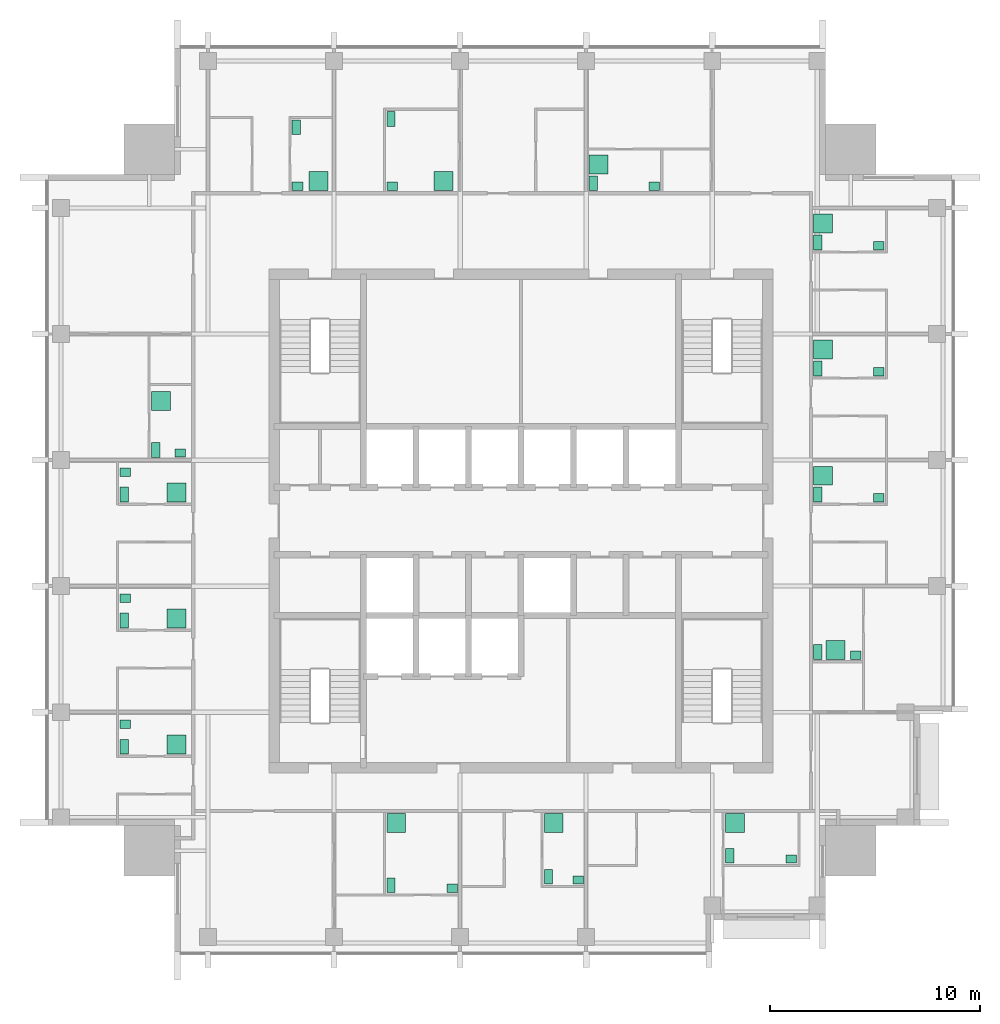
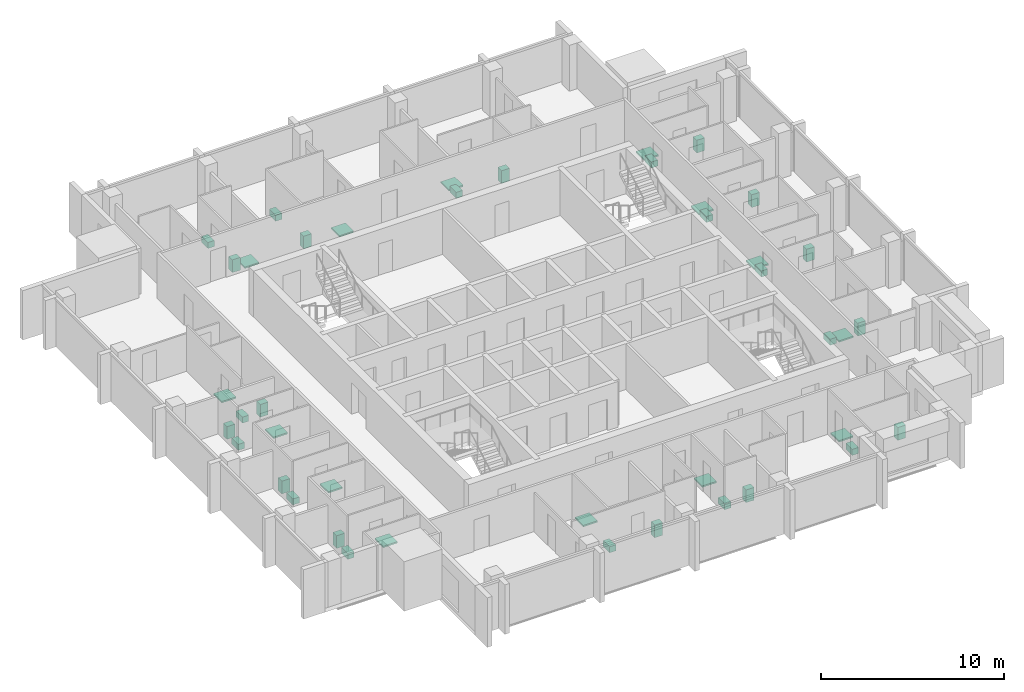
# One storey, part 9 of 9: 42 sanitary terminals.
"""IFC4 building model written with IfcOpenShell, lengths in metres."""

from ifc_helpers import new_model, si_unit, direction, frame, origin, origin_2d, place, context, subcontext, project, spatial, rectangle, extrude, element, save


model = new_model("IFC4")

# Units and contexts
model_context = context("Model", 3, precision=1e-05, world=origin(), true_north=direction((0.0, 1.0)))
body_context = subcontext(model_context, "Body", "Model", "MODEL_VIEW")
ifc_project = project(units=[si_unit("LENGTHUNIT", "METRE"), si_unit("AREAUNIT", "SQUARE_METRE"), si_unit("VOLUMEUNIT", "CUBIC_METRE"), si_unit("PLANEANGLEUNIT", "RADIAN"), si_unit("MASSUNIT", "GRAM", prefix="KILO")], contexts=[model_context])

# Site, building, storey
site_placement = place(None, origin())
site = spatial("IfcSite", under=ifc_project, at=site_placement, CompositionType="ELEMENT")
building_placement = place(site_placement, origin())
building = spatial("IfcBuilding", under=site, at=building_placement, Name="Amberfall Residences", CompositionType="ELEMENT")
storey_placement = place(building_placement, frame((0.0, 0.0, 245.5)))
storey = spatial("IfcBuildingStorey", under=building, at=storey_placement, Name="L65", CompositionType="ELEMENT", Elevation=245.5)

# Sanitary terminals
sanitary_terminal_1_placement = place(storey_placement, frame((68.31005859375, 28.159912109375, 0.0), z_axis=(0.0, 0.0, 1.0), x_axis=(1.0, 0.0, 0.0)))
element("IfcSanitaryTerminal", 1, at=sanitary_terminal_1_placement, inside=storey, Name="Water closet 6501", PredefinedType="TOILETPAN", context=body_context, shape_type="SweptSolid", body=[
    extrude(rectangle(XDim=0.39990234375, YDim=0.699951171875, at=origin_2d()), origin(), (0.0, 0.0, 1.0), 0.39990234375),
])
sanitary_terminal_2_placement = place(storey_placement, frame((71.215087890625, 28.010009765625, 0.0), z_axis=(0.0, 0.0, 1.0), x_axis=(1.0, 0.0, 0.0)))
element("IfcSanitaryTerminal", 2, at=sanitary_terminal_2_placement, inside=storey, Name="Basin 6501", PredefinedType="WASHHANDBASIN", context=body_context, shape_type="SweptSolid", body=[
    extrude(rectangle(XDim=0.5, YDim=0.39990234375, at=origin_2d()), origin(), (0.0, 0.0, 1.0), 0.85009765625),
])
sanitary_terminal_3_placement = place(storey_placement, frame((68.56005859375, 31.114990234375, 0.0), z_axis=(0.0, 0.0, 1.0), x_axis=(1.0, 0.0, 0.0)))
element("IfcSanitaryTerminal", 3, at=sanitary_terminal_3_placement, inside=storey, Name="Shower tray 6501", PredefinedType="SHOWER", context=body_context, shape_type="SweptSolid", body=[
    extrude(rectangle(XDim=0.89990234375, YDim=0.89990234375, at=origin_2d()), origin(), (0.0, 0.0, 1.0), 0.10009765625),
])
sanitary_terminal_4_placement = place(storey_placement, frame((75.81005859375, 28.56005859375, 0.0), z_axis=(0.0, 0.0, 1.0), x_axis=(1.0, 0.0, 0.0)))
element("IfcSanitaryTerminal", 4, at=sanitary_terminal_4_placement, inside=storey, Name="Water closet 6502", PredefinedType="TOILETPAN", context=body_context, shape_type="SweptSolid", body=[
    extrude(rectangle(XDim=0.39990234375, YDim=0.699951171875, at=origin_2d()), origin(), (0.0, 0.0, 1.0), 0.39990234375),
])
sanitary_terminal_5_placement = place(storey_placement, frame((77.215087890625, 28.409912109375, 0.0), z_axis=(0.0, 0.0, 1.0), x_axis=(1.0, 0.0, 0.0)))
element("IfcSanitaryTerminal", 5, at=sanitary_terminal_5_placement, inside=storey, Name="Basin 6502", PredefinedType="WASHHANDBASIN", context=body_context, shape_type="SweptSolid", body=[
    extrude(rectangle(XDim=0.5, YDim=0.39990234375, at=origin_2d()), origin(), (0.0, 0.0, 1.0), 0.85009765625),
])
sanitary_terminal_6_placement = place(storey_placement, frame((76.06005859375, 31.114990234375, 0.0), z_axis=(0.0, 0.0, 1.0), x_axis=(1.0, 0.0, 0.0)))
element("IfcSanitaryTerminal", 6, at=sanitary_terminal_6_placement, inside=storey, Name="Shower tray 6502", PredefinedType="SHOWER", context=body_context, shape_type="SweptSolid", body=[
    extrude(rectangle(XDim=0.89990234375, YDim=0.89990234375, at=origin_2d()), origin(), (0.0, 0.0, 1.0), 0.10009765625),
])
sanitary_terminal_7_placement = place(storey_placement, frame((84.43505859375, 29.56005859375, 0.0), z_axis=(0.0, 0.0, 1.0), x_axis=(1.0, 0.0, 0.0)))
element("IfcSanitaryTerminal", 7, at=sanitary_terminal_7_placement, inside=storey, Name="Water closet 6503", PredefinedType="TOILETPAN", context=body_context, shape_type="SweptSolid", body=[
    extrude(rectangle(XDim=0.39990234375, YDim=0.699951171875, at=origin_2d()), origin(), (0.0, 0.0, 1.0), 0.39990234375),
])
sanitary_terminal_8_placement = place(storey_placement, frame((87.364990234375, 29.409912109375, 0.0), z_axis=(0.0, 0.0, 1.0), x_axis=(1.0, 0.0, 0.0)))
element("IfcSanitaryTerminal", 8, at=sanitary_terminal_8_placement, inside=storey, Name="Basin 6503", PredefinedType="WASHHANDBASIN", context=body_context, shape_type="SweptSolid", body=[
    extrude(rectangle(XDim=0.5, YDim=0.39990234375, at=origin_2d()), origin(), (0.0, 0.0, 1.0), 0.85009765625),
])
sanitary_terminal_9_placement = place(storey_placement, frame((84.68505859375, 31.114990234375, 0.0), z_axis=(0.0, 0.0, 1.0), x_axis=(1.0, 0.0, 0.0)))
element("IfcSanitaryTerminal", 9, at=sanitary_terminal_9_placement, inside=storey, Name="Shower tray 6503", PredefinedType="SHOWER", context=body_context, shape_type="SweptSolid", body=[
    extrude(rectangle(XDim=0.89990234375, YDim=0.89990234375, at=origin_2d()), origin(), (0.0, 0.0, 1.0), 0.10009765625),
])
sanitary_terminal_10_placement = place(storey_placement, frame((88.635009765625, 39.260009765625, 0.0), z_axis=(0.0, 0.0, 1.0), x_axis=(1.0, 0.0, 0.0)))
element("IfcSanitaryTerminal", 10, at=sanitary_terminal_10_placement, inside=storey, Name="Water closet 6504", PredefinedType="TOILETPAN", context=body_context, shape_type="SweptSolid", body=[
    extrude(rectangle(XDim=0.39990234375, YDim=0.699951171875, at=origin_2d()), origin(), (0.0, 0.0, 1.0), 0.39990234375),
])
sanitary_terminal_11_placement = place(storey_placement, frame((90.43994140625, 39.110107421875, 0.0), z_axis=(0.0, 0.0, 1.0), x_axis=(1.0, 0.0, 0.0)))
element("IfcSanitaryTerminal", 11, at=sanitary_terminal_11_placement, inside=storey, Name="Basin 6504", PredefinedType="WASHHANDBASIN", context=body_context, shape_type="SweptSolid", body=[
    extrude(rectangle(XDim=0.5, YDim=0.39990234375, at=origin_2d()), origin(), (0.0, 0.0, 1.0), 0.85009765625),
])
sanitary_terminal_12_placement = place(storey_placement, frame((89.4658203125, 39.360107421875, 0.0), z_axis=(0.0, 0.0, 1.0), x_axis=(1.0, 0.0, 0.0)))
element("IfcSanitaryTerminal", 12, at=sanitary_terminal_12_placement, inside=storey, Name="Shower tray 6504", PredefinedType="SHOWER", context=body_context, shape_type="SweptSolid", body=[
    extrude(rectangle(XDim=0.89990234375, YDim=0.89990234375, at=origin_2d()), origin(), (0.0, 0.0, 1.0), 0.10009765625),
])
sanitary_terminal_13_placement = place(storey_placement, frame((88.635009765625, 46.760009765625, 0.0), z_axis=(0.0, 0.0, 1.0), x_axis=(1.0, 0.0, 0.0)))
element("IfcSanitaryTerminal", 13, at=sanitary_terminal_13_placement, inside=storey, Name="Water closet 6505", PredefinedType="TOILETPAN", context=body_context, shape_type="SweptSolid", body=[
    extrude(rectangle(XDim=0.39990234375, YDim=0.699951171875, at=origin_2d()), origin(), (0.0, 0.0, 1.0), 0.39990234375),
])
sanitary_terminal_14_placement = place(storey_placement, frame((91.5400390625, 46.610107421875, 0.0), z_axis=(0.0, 0.0, 1.0), x_axis=(1.0, 0.0, 0.0)))
element("IfcSanitaryTerminal", 14, at=sanitary_terminal_14_placement, inside=storey, Name="Basin 6505", PredefinedType="WASHHANDBASIN", context=body_context, shape_type="SweptSolid", body=[
    extrude(rectangle(XDim=0.5, YDim=0.39990234375, at=origin_2d()), origin(), (0.0, 0.0, 1.0), 0.85009765625),
])
sanitary_terminal_15_placement = place(storey_placement, frame((88.885009765625, 47.65576171875, 0.0), z_axis=(0.0, 0.0, 1.0), x_axis=(1.0, 0.0, 0.0)))
element("IfcSanitaryTerminal", 15, at=sanitary_terminal_15_placement, inside=storey, Name="Shower tray 6505", PredefinedType="SHOWER", context=body_context, shape_type="SweptSolid", body=[
    extrude(rectangle(XDim=0.89990234375, YDim=0.89990234375, at=origin_2d()), origin(), (0.0, 0.0, 1.0), 0.10009765625),
])
sanitary_terminal_16_placement = place(storey_placement, frame((88.635009765625, 52.760009765625, 0.0), z_axis=(0.0, 0.0, 1.0), x_axis=(1.0, 0.0, 0.0)))
element("IfcSanitaryTerminal", 16, at=sanitary_terminal_16_placement, inside=storey, Name="Water closet 6506", PredefinedType="TOILETPAN", context=body_context, shape_type="SweptSolid", body=[
    extrude(rectangle(XDim=0.39990234375, YDim=0.699951171875, at=origin_2d()), origin(), (0.0, 0.0, 1.0), 0.39990234375),
])
sanitary_terminal_17_placement = place(storey_placement, frame((91.5400390625, 52.610107421875, 0.0), z_axis=(0.0, 0.0, 1.0), x_axis=(1.0, 0.0, 0.0)))
element("IfcSanitaryTerminal", 17, at=sanitary_terminal_17_placement, inside=storey, Name="Basin 6506", PredefinedType="WASHHANDBASIN", context=body_context, shape_type="SweptSolid", body=[
    extrude(rectangle(XDim=0.5, YDim=0.39990234375, at=origin_2d()), origin(), (0.0, 0.0, 1.0), 0.85009765625),
])
sanitary_terminal_18_placement = place(storey_placement, frame((88.885009765625, 53.65576171875, 0.0), z_axis=(0.0, 0.0, 1.0), x_axis=(1.0, 0.0, 0.0)))
element("IfcSanitaryTerminal", 18, at=sanitary_terminal_18_placement, inside=storey, Name="Shower tray 6506", PredefinedType="SHOWER", context=body_context, shape_type="SweptSolid", body=[
    extrude(rectangle(XDim=0.89990234375, YDim=0.89990234375, at=origin_2d()), origin(), (0.0, 0.0, 1.0), 0.10009765625),
])
sanitary_terminal_19_placement = place(storey_placement, frame((88.635009765625, 58.760009765625, 0.0), z_axis=(0.0, 0.0, 1.0), x_axis=(1.0, 0.0, 0.0)))
element("IfcSanitaryTerminal", 19, at=sanitary_terminal_19_placement, inside=storey, Name="Water closet 6507", PredefinedType="TOILETPAN", context=body_context, shape_type="SweptSolid", body=[
    extrude(rectangle(XDim=0.39990234375, YDim=0.699951171875, at=origin_2d()), origin(), (0.0, 0.0, 1.0), 0.39990234375),
])
sanitary_terminal_20_placement = place(storey_placement, frame((91.5400390625, 58.610107421875, 0.0), z_axis=(0.0, 0.0, 1.0), x_axis=(1.0, 0.0, 0.0)))
element("IfcSanitaryTerminal", 20, at=sanitary_terminal_20_placement, inside=storey, Name="Basin 6507", PredefinedType="WASHHANDBASIN", context=body_context, shape_type="SweptSolid", body=[
    extrude(rectangle(XDim=0.5, YDim=0.39990234375, at=origin_2d()), origin(), (0.0, 0.0, 1.0), 0.85009765625),
])
sanitary_terminal_21_placement = place(storey_placement, frame((88.885009765625, 59.65576171875, 0.0), z_axis=(0.0, 0.0, 1.0), x_axis=(1.0, 0.0, 0.0)))
element("IfcSanitaryTerminal", 21, at=sanitary_terminal_21_placement, inside=storey, Name="Shower tray 6507", PredefinedType="SHOWER", context=body_context, shape_type="SweptSolid", body=[
    extrude(rectangle(XDim=0.89990234375, YDim=0.89990234375, at=origin_2d()), origin(), (0.0, 0.0, 1.0), 0.10009765625),
])
sanitary_terminal_22_placement = place(storey_placement, frame((63.81005859375, 64.239990234375, 0.0), z_axis=(0.0, 0.0, 1.0), x_axis=(1.0, 0.0, 0.0)))
element("IfcSanitaryTerminal", 22, at=sanitary_terminal_22_placement, inside=storey, Name="Water closet 6508", PredefinedType="TOILETPAN", context=body_context, shape_type="SweptSolid", body=[
    extrude(rectangle(XDim=0.39990234375, YDim=0.699951171875, at=origin_2d()), origin(), (0.0, 0.0, 1.0), 0.39990234375),
])
sanitary_terminal_23_placement = place(storey_placement, frame((63.860107421875, 61.43505859375, 0.0), z_axis=(0.0, 0.0, 1.0), x_axis=(1.0, 0.0, 0.0)))
element("IfcSanitaryTerminal", 23, at=sanitary_terminal_23_placement, inside=storey, Name="Basin 6508", PredefinedType="WASHHANDBASIN", context=body_context, shape_type="SweptSolid", body=[
    extrude(rectangle(XDim=0.5, YDim=0.39990234375, at=origin_2d()), origin(), (0.0, 0.0, 1.0), 0.85009765625),
])
sanitary_terminal_24_placement = place(storey_placement, frame((64.855712890625, 61.68505859375, 0.0), z_axis=(0.0, 0.0, 1.0), x_axis=(1.0, 0.0, 0.0)))
element("IfcSanitaryTerminal", 24, at=sanitary_terminal_24_placement, inside=storey, Name="Shower tray 6508", PredefinedType="SHOWER", context=body_context, shape_type="SweptSolid", body=[
    extrude(rectangle(XDim=0.89990234375, YDim=0.89990234375, at=origin_2d()), origin(), (0.0, 0.0, 1.0), 0.10009765625),
])
sanitary_terminal_25_placement = place(storey_placement, frame((68.31005859375, 64.639892578125, 0.0), z_axis=(0.0, 0.0, 1.0), x_axis=(1.0, 0.0, 0.0)))
element("IfcSanitaryTerminal", 25, at=sanitary_terminal_25_placement, inside=storey, Name="Water closet 6509", PredefinedType="TOILETPAN", context=body_context, shape_type="SweptSolid", body=[
    extrude(rectangle(XDim=0.39990234375, YDim=0.699951171875, at=origin_2d()), origin(), (0.0, 0.0, 1.0), 0.39990234375),
])
sanitary_terminal_26_placement = place(storey_placement, frame((68.360107421875, 61.43505859375, 0.0), z_axis=(0.0, 0.0, 1.0), x_axis=(1.0, 0.0, 0.0)))
element("IfcSanitaryTerminal", 26, at=sanitary_terminal_26_placement, inside=storey, Name="Basin 6509", PredefinedType="WASHHANDBASIN", context=body_context, shape_type="SweptSolid", body=[
    extrude(rectangle(XDim=0.5, YDim=0.39990234375, at=origin_2d()), origin(), (0.0, 0.0, 1.0), 0.85009765625),
])
sanitary_terminal_27_placement = place(storey_placement, frame((70.814453125, 61.68505859375, 0.0), z_axis=(0.0, 0.0, 1.0), x_axis=(1.0, 0.0, 0.0)))
element("IfcSanitaryTerminal", 27, at=sanitary_terminal_27_placement, inside=storey, Name="Shower tray 6509", PredefinedType="SHOWER", context=body_context, shape_type="SweptSolid", body=[
    extrude(rectangle(XDim=0.89990234375, YDim=0.89990234375, at=origin_2d()), origin(), (0.0, 0.0, 1.0), 0.10009765625),
])
sanitary_terminal_28_placement = place(storey_placement, frame((77.93505859375, 61.5849609375, 0.0), z_axis=(0.0, 0.0, 1.0), x_axis=(1.0, 0.0, 0.0)))
element("IfcSanitaryTerminal", 28, at=sanitary_terminal_28_placement, inside=storey, Name="Water closet 6510", PredefinedType="TOILETPAN", context=body_context, shape_type="SweptSolid", body=[
    extrude(rectangle(XDim=0.39990234375, YDim=0.699951171875, at=origin_2d()), origin(), (0.0, 0.0, 1.0), 0.39990234375),
])
sanitary_terminal_29_placement = place(storey_placement, frame((80.840087890625, 61.43505859375, 0.0), z_axis=(0.0, 0.0, 1.0), x_axis=(1.0, 0.0, 0.0)))
element("IfcSanitaryTerminal", 29, at=sanitary_terminal_29_placement, inside=storey, Name="Basin 6510", PredefinedType="WASHHANDBASIN", context=body_context, shape_type="SweptSolid", body=[
    extrude(rectangle(XDim=0.5, YDim=0.39990234375, at=origin_2d()), origin(), (0.0, 0.0, 1.0), 0.85009765625),
])
sanitary_terminal_30_placement = place(storey_placement, frame((78.18505859375, 62.480712890625, 0.0), z_axis=(0.0, 0.0, 1.0), x_axis=(1.0, 0.0, 0.0)))
element("IfcSanitaryTerminal", 30, at=sanitary_terminal_30_placement, inside=storey, Name="Shower tray 6510", PredefinedType="SHOWER", context=body_context, shape_type="SweptSolid", body=[
    extrude(rectangle(XDim=0.89990234375, YDim=0.89990234375, at=origin_2d()), origin(), (0.0, 0.0, 1.0), 0.10009765625),
])
sanitary_terminal_31_placement = place(storey_placement, frame((55.610107421875, 34.760009765625, 0.0), z_axis=(0.0, 0.0, 1.0), x_axis=(1.0, 0.0, 0.0)))
element("IfcSanitaryTerminal", 31, at=sanitary_terminal_31_placement, inside=storey, Name="Water closet 6511", PredefinedType="TOILETPAN", context=body_context, shape_type="SweptSolid", body=[
    extrude(rectangle(XDim=0.39990234375, YDim=0.699951171875, at=origin_2d()), origin(), (0.0, 0.0, 1.0), 0.39990234375),
])
sanitary_terminal_32_placement = place(storey_placement, frame((55.659912109375, 35.822509765625, 0.0), z_axis=(0.0, 0.0, 1.0), x_axis=(1.0, 0.0, 0.0)))
element("IfcSanitaryTerminal", 32, at=sanitary_terminal_32_placement, inside=storey, Name="Basin 6511", PredefinedType="WASHHANDBASIN", context=body_context, shape_type="SweptSolid", body=[
    extrude(rectangle(XDim=0.5, YDim=0.39990234375, at=origin_2d()), origin(), (0.0, 0.0, 1.0), 0.85009765625),
])
sanitary_terminal_33_placement = place(storey_placement, frame((58.091796875, 34.860107421875, 0.0), z_axis=(0.0, 0.0, 1.0), x_axis=(1.0, 0.0, 0.0)))
element("IfcSanitaryTerminal", 33, at=sanitary_terminal_33_placement, inside=storey, Name="Shower tray 6511", PredefinedType="SHOWER", context=body_context, shape_type="SweptSolid", body=[
    extrude(rectangle(XDim=0.89990234375, YDim=0.89990234375, at=origin_2d()), origin(), (0.0, 0.0, 1.0), 0.10009765625),
])
sanitary_terminal_34_placement = place(storey_placement, frame((55.610107421875, 40.760009765625, 0.0), z_axis=(0.0, 0.0, 1.0), x_axis=(1.0, 0.0, 0.0)))
element("IfcSanitaryTerminal", 34, at=sanitary_terminal_34_placement, inside=storey, Name="Water closet 6512", PredefinedType="TOILETPAN", context=body_context, shape_type="SweptSolid", body=[
    extrude(rectangle(XDim=0.39990234375, YDim=0.699951171875, at=origin_2d()), origin(), (0.0, 0.0, 1.0), 0.39990234375),
])
sanitary_terminal_35_placement = place(storey_placement, frame((55.659912109375, 41.822509765625, 0.0), z_axis=(0.0, 0.0, 1.0), x_axis=(1.0, 0.0, 0.0)))
element("IfcSanitaryTerminal", 35, at=sanitary_terminal_35_placement, inside=storey, Name="Basin 6512", PredefinedType="WASHHANDBASIN", context=body_context, shape_type="SweptSolid", body=[
    extrude(rectangle(XDim=0.5, YDim=0.39990234375, at=origin_2d()), origin(), (0.0, 0.0, 1.0), 0.85009765625),
])
sanitary_terminal_36_placement = place(storey_placement, frame((58.091796875, 40.860107421875, 0.0), z_axis=(0.0, 0.0, 1.0), x_axis=(1.0, 0.0, 0.0)))
element("IfcSanitaryTerminal", 36, at=sanitary_terminal_36_placement, inside=storey, Name="Shower tray 6512", PredefinedType="SHOWER", context=body_context, shape_type="SweptSolid", body=[
    extrude(rectangle(XDim=0.89990234375, YDim=0.89990234375, at=origin_2d()), origin(), (0.0, 0.0, 1.0), 0.10009765625),
])
sanitary_terminal_37_placement = place(storey_placement, frame((55.610107421875, 46.760009765625, 0.0), z_axis=(0.0, 0.0, 1.0), x_axis=(1.0, 0.0, 0.0)))
element("IfcSanitaryTerminal", 37, at=sanitary_terminal_37_placement, inside=storey, Name="Water closet 6513", PredefinedType="TOILETPAN", context=body_context, shape_type="SweptSolid", body=[
    extrude(rectangle(XDim=0.39990234375, YDim=0.699951171875, at=origin_2d()), origin(), (0.0, 0.0, 1.0), 0.39990234375),
])
sanitary_terminal_38_placement = place(storey_placement, frame((55.659912109375, 47.822509765625, 0.0), z_axis=(0.0, 0.0, 1.0), x_axis=(1.0, 0.0, 0.0)))
element("IfcSanitaryTerminal", 38, at=sanitary_terminal_38_placement, inside=storey, Name="Basin 6513", PredefinedType="WASHHANDBASIN", context=body_context, shape_type="SweptSolid", body=[
    extrude(rectangle(XDim=0.5, YDim=0.39990234375, at=origin_2d()), origin(), (0.0, 0.0, 1.0), 0.85009765625),
])
sanitary_terminal_39_placement = place(storey_placement, frame((58.091796875, 46.860107421875, 0.0), z_axis=(0.0, 0.0, 1.0), x_axis=(1.0, 0.0, 0.0)))
element("IfcSanitaryTerminal", 39, at=sanitary_terminal_39_placement, inside=storey, Name="Shower tray 6513", PredefinedType="SHOWER", context=body_context, shape_type="SweptSolid", body=[
    extrude(rectangle(XDim=0.89990234375, YDim=0.89990234375, at=origin_2d()), origin(), (0.0, 0.0, 1.0), 0.10009765625),
])
sanitary_terminal_40_placement = place(storey_placement, frame((57.110107421875, 48.885009765625, 0.0), z_axis=(0.0, 0.0, 1.0), x_axis=(1.0, 0.0, 0.0)))
element("IfcSanitaryTerminal", 40, at=sanitary_terminal_40_placement, inside=storey, Name="Water closet 6514", PredefinedType="TOILETPAN", context=body_context, shape_type="SweptSolid", body=[
    extrude(rectangle(XDim=0.39990234375, YDim=0.699951171875, at=origin_2d()), origin(), (0.0, 0.0, 1.0), 0.39990234375),
])
sanitary_terminal_41_placement = place(storey_placement, frame((58.2890625, 48.735107421875, 0.0), z_axis=(0.0, 0.0, 1.0), x_axis=(1.0, 0.0, 0.0)))
element("IfcSanitaryTerminal", 41, at=sanitary_terminal_41_placement, inside=storey, Name="Basin 6514", PredefinedType="WASHHANDBASIN", context=body_context, shape_type="SweptSolid", body=[
    extrude(rectangle(XDim=0.5, YDim=0.39990234375, at=origin_2d()), origin(), (0.0, 0.0, 1.0), 0.85009765625),
])
sanitary_terminal_42_placement = place(storey_placement, frame((57.360107421875, 51.216796875, 0.0), z_axis=(0.0, 0.0, 1.0), x_axis=(1.0, 0.0, 0.0)))
element("IfcSanitaryTerminal", 42, at=sanitary_terminal_42_placement, inside=storey, Name="Shower tray 6514", PredefinedType="SHOWER", context=body_context, shape_type="SweptSolid", body=[
    extrude(rectangle(XDim=0.89990234375, YDim=0.89990234375, at=origin_2d()), origin(), (0.0, 0.0, 1.0), 0.10009765625),
])

save(model, "model.ifc")
